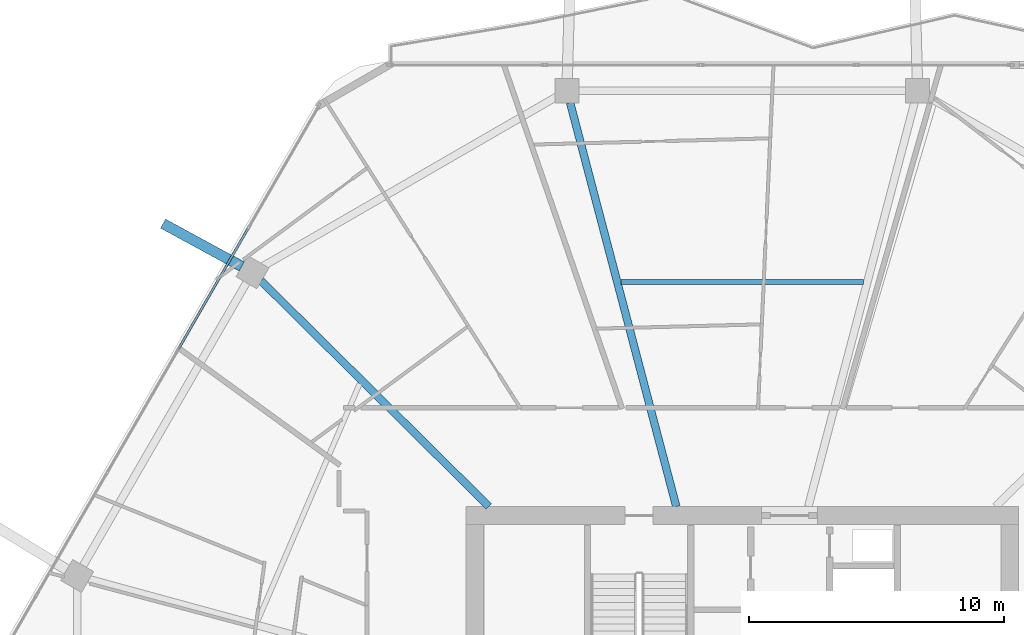
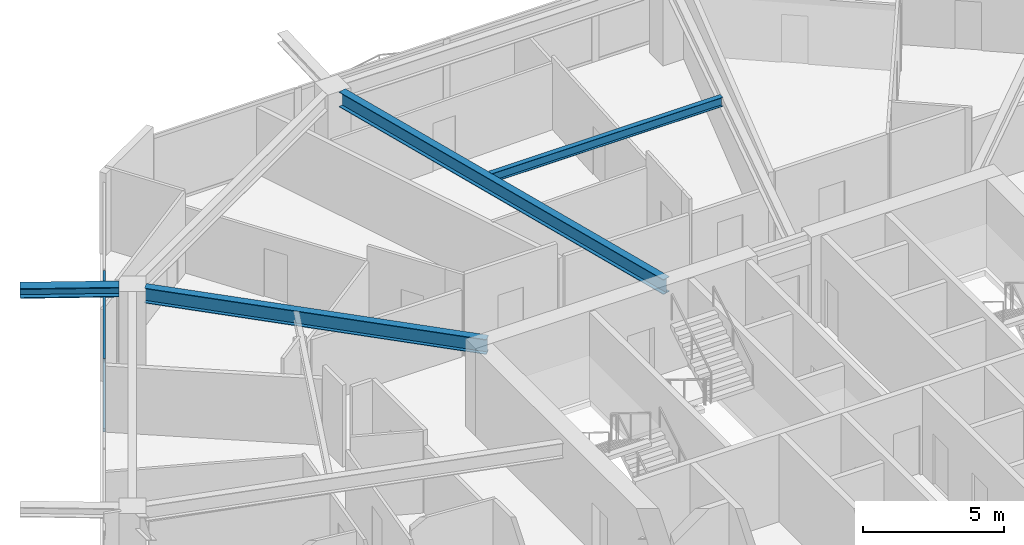
# One storey, part 12 of 25: 4 beams, 2 members, 1 element without a shape of its own.
"""IFC4 building model written with IfcOpenShell, lengths in metres."""

from ifc_helpers import new_model, si_unit, direction, frame, origin, origin_2d, place, context, subcontext, project, spatial, hollow_rectangle, i_section, extrude, material, material_profile, profile_set, type_object, element, aggregate, save


model = new_model("IFC4")

# Units and contexts
model_context = context("Model", 3, precision=1e-05, world=origin(), true_north=direction((0.0, 1.0)))
body_context = subcontext(model_context, "Body", "Model", "MODEL_VIEW")
ifc_project = project(units=[si_unit("LENGTHUNIT", "METRE"), si_unit("AREAUNIT", "SQUARE_METRE"), si_unit("VOLUMEUNIT", "CUBIC_METRE"), si_unit("PLANEANGLEUNIT", "RADIAN"), si_unit("MASSUNIT", "GRAM", prefix="KILO")], contexts=[model_context])

# Site, building, storey
site_placement = place(None, origin())
site = spatial("IfcSite", under=ifc_project, at=site_placement, CompositionType="ELEMENT")
building_placement = place(site_placement, origin())
building = spatial("IfcBuilding", under=site, at=building_placement, Name="Zuhravey Tower", CompositionType="ELEMENT")
storey_placement = place(building_placement, frame((0.0, 0.0, 196.0)))
storey = spatial("IfcBuildingStorey", under=building, at=storey_placement, Name="L49", CompositionType="ELEMENT", Elevation=196.0)

# Curtain wall, members
ifc_material_1 = material(Name="Thermally broken anodised aluminium", Category="aluminium")
curtain_wall_type = type_object("IfcCurtainWallType", Name="Zone 1-2 Residential Curtain Wall CW3", PredefinedType="NOTDEFINED", material=ifc_material_1)
curtain_wall_placement = place(storey_placement, origin())
curtain_wall = element("IfcCurtainWall", 1, at=curtain_wall_placement, inside=storey, type_object=curtain_wall_type, Name="L49 CW3 CW-L49-F3-1", PredefinedType="NOTDEFINED")
ifc_material_2 = material(Name="Anodised aluminium", Category="aluminium")
ifc_material_profile_1 = material_profile(ifc_material_2, hollow_rectangle(XDim=0.090087890625, YDim=0.14990234375, WallThickness=0.0048828125, at=origin_2d()), Name="ALU-RHS-90x150x5")
ifc_profile_set_1 = profile_set([ifc_material_profile_1], Name="Anodised aluminium")
member_type = type_object("IfcMemberType", Name="Curtain-Wall Transom 90x150", PredefinedType="USERDEFINED", material=ifc_profile_set_1)
member_1_placement = place(storey_placement, frame((13.867431640625, 48.03125, 0.044921875), z_axis=(0.49996138257, 0.86604769842, 0.0), x_axis=(-0.86604769842, 0.49996138257, 0.0)))
member_1 = element("IfcMember", 2, at=member_1_placement, type_object=member_type, Name="CW3 transom 4.1", ObjectType="TRANSOM", PredefinedType="USERDEFINED", context=body_context, shape_type="SweptSolid", body=[
    extrude(hollow_rectangle(XDim=0.090087890625, YDim=0.14990234375, WallThickness=0.0048828125, at=origin_2d()), origin(), (0.0, 0.0, 1.0), 5.45458984375),
])
member_2_placement = place(storey_placement, frame((13.867431640625, 48.03125, 3.076904296875), z_axis=(0.49996138257, 0.86604769842, 0.0), x_axis=(-0.86604769842, 0.49996138257, 0.0)))
member_2 = element("IfcMember", 3, at=member_2_placement, type_object=member_type, Name="CW3 transom 4.2", ObjectType="TRANSOM", PredefinedType="USERDEFINED", context=body_context, shape_type="SweptSolid", body=[
    extrude(hollow_rectangle(XDim=0.090087890625, YDim=0.14990234375, WallThickness=0.0048828125, at=origin_2d()), origin(), (0.0, 0.0, 1.0), 5.45458984375),
])
aggregate(curtain_wall, [member_1, member_2])

# Beams
ifc_material_3 = material(Name="Steel SM460", Category="steel")
ifc_material_profile_2 = material_profile(ifc_material_3, i_section(OverallWidth=0.406982421875, OverallDepth=0.427978515625, WebThickness=0.02001953125, FlangeThickness=0.034912109375, at=origin_2d()), Name="H-428x407x20x35")
ifc_profile_set_2 = profile_set([ifc_material_profile_2], Name="Steel SM460")
beam_type_1 = type_object("IfcBeamType", Name="Exoskeleton Node Tie Beam H428x407", PredefinedType="BEAM", material=ifc_profile_set_2)
beam_1_placement = place(storey_placement, frame((16.353515625, 51.275634765625, 3.3359375), z_axis=(-0.878367339529, 0.477986209894, 0.0), x_axis=(-0.477986209894, -0.878367339529, 0.0)))
element("IfcBeam", 4, at=beam_1_placement, inside=storey, type_object=beam_type_1, Name="L49 Exoskeleton Node Tie NT1-05", PredefinedType="BEAM", context=body_context, shape_type="SweptSolid", body=[
    extrude(i_section(OverallWidth=0.406982421875, OverallDepth=0.427978515625, WebThickness=0.02001953125, FlangeThickness=0.034912109375, at=origin_2d()), origin(), (0.0, 0.0, 1.0), 3.51708984375),
])
ifc_material_4 = material(Name="Steel SM355", Category="steel")
ifc_material_profile_3 = material_profile(ifc_material_4, i_section(OverallWidth=0.300048828125, OverallDepth=0.64990234375, WebThickness=0.012939453125, FlangeThickness=0.02197265625, at=origin_2d()), Name="H-650x300x13x22")
ifc_profile_set_3 = profile_set([ifc_material_profile_3], Name="Steel SM355")
beam_type_2 = type_object("IfcBeamType", Name="Radial Primary Girder H650x300", PredefinedType="BEAM", material=ifc_profile_set_3)
beam_2_placement = place(storey_placement, frame((33.4091796875, 41.85302734375, 3.22509765625), z_axis=(-0.254299806285, 0.967125435775, 0.0), x_axis=(-0.967125435775, -0.254299806285, 0.0)))
element("IfcBeam", 5, at=beam_2_placement, inside=storey, type_object=beam_type_2, Name="L49 RG2 BM-L49-RAD-04", PredefinedType="BEAM", context=body_context, shape_type="SweptSolid", body=[
    extrude(i_section(OverallWidth=0.300048828125, OverallDepth=0.64990234375, WebThickness=0.012939453125, FlangeThickness=0.02197265625, at=origin_2d()), origin(), (0.0, 0.0, 1.0), 16.396728515625),
])
beam_3_placement = place(storey_placement, frame((26.054443359375, 41.85302734375, 3.22509765625), z_axis=(-0.710406645816, 0.703791444663, 0.0), x_axis=(-0.703791444663, -0.710406645816, 0.0)))
element("IfcBeam", 6, at=beam_3_placement, inside=storey, type_object=beam_type_2, Name="L49 RG2 BM-L49-RAD-05", PredefinedType="BEAM", context=body_context, shape_type="SweptSolid", body=[
    extrude(i_section(OverallWidth=0.300048828125, OverallDepth=0.64990234375, WebThickness=0.012939453125, FlangeThickness=0.02197265625, at=origin_2d()), origin(), (0.0, 0.0, 1.0), 12.5849609375),
])
ifc_material_profile_4 = material_profile(ifc_material_4, i_section(OverallWidth=0.199951171875, OverallDepth=0.39990234375, WebThickness=0.008056640625, FlangeThickness=0.012939453125, at=origin_2d()), Name="H-400x200x8x13")
ifc_profile_set_4 = profile_set([ifc_material_profile_4], Name="Steel SM355")
beam_type_3 = type_object("IfcBeamType", Name="Secondary Floor Joist H400x200", PredefinedType="JOIST", material=ifc_profile_set_4)
beam_4_placement = place(storey_placement, frame((40.754150390625, 50.665771484375, 3.35009765625), z_axis=(-1.0, 0.0, 0.0), x_axis=(0.0, -1.0, 0.0)))
element("IfcBeam", 7, at=beam_4_placement, inside=storey, type_object=beam_type_3, Name="L49 SJ2 BM-L49-SJ-03-1", PredefinedType="JOIST", context=body_context, shape_type="SweptSolid", body=[
    extrude(i_section(OverallWidth=0.199951171875, OverallDepth=0.39990234375, WebThickness=0.008056640625, FlangeThickness=0.012939453125, at=origin_2d()), origin(), (0.0, 0.0, 1.0), 9.50830078125),
])

save(model, "model.ifc")
